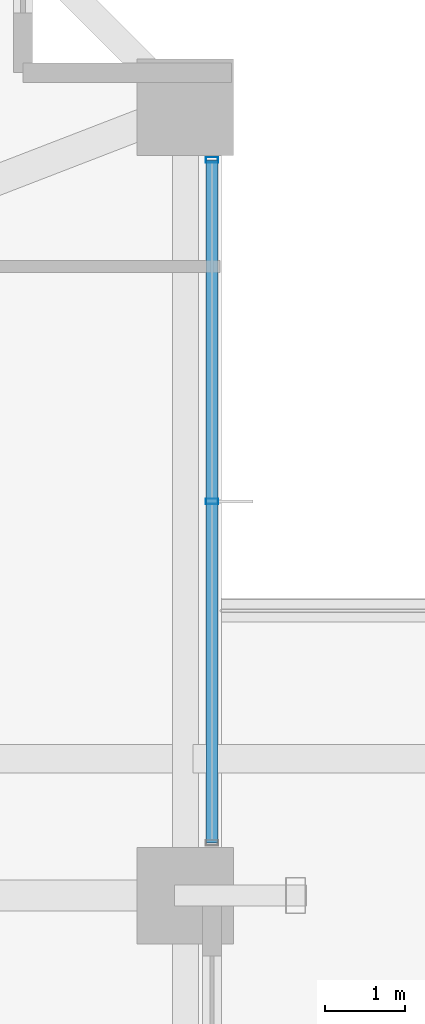
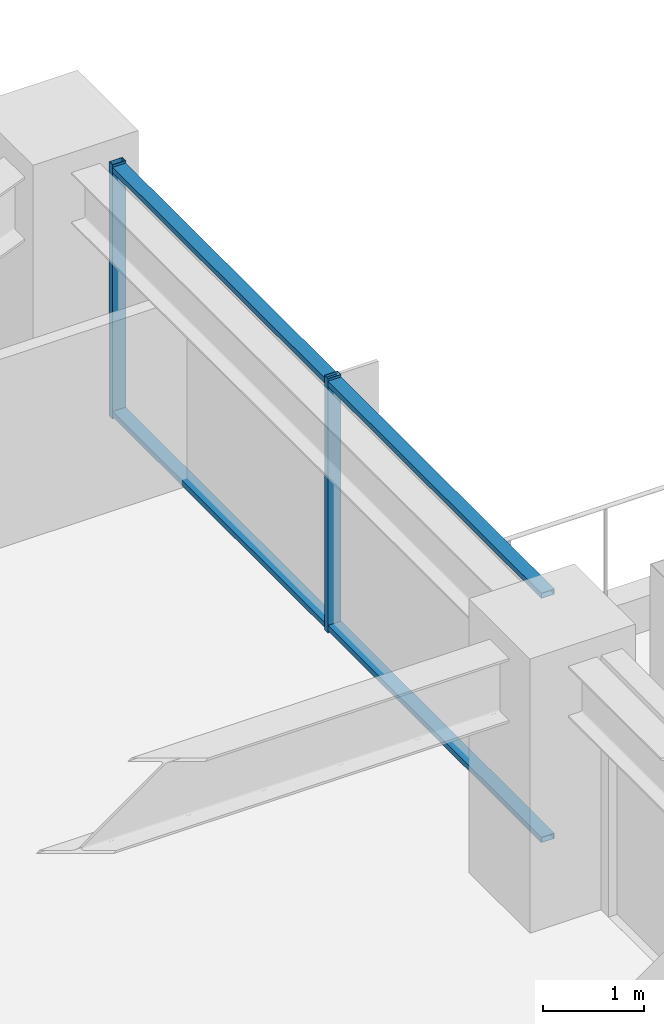
# One storey, part 25 of 38: 4 members, 1 element without a shape of its own.
"""IFC4 building model written with IfcOpenShell, lengths in metres."""

from ifc_helpers import new_model, si_unit, direction, frame, origin, origin_2d, place, context, subcontext, project, spatial, hollow_rectangle, extrude, material, material_profile, profile_set, type_object, element, aggregate, save


model = new_model("IFC4")

# Units and contexts
model_context = context("Model", 3, precision=1e-05, world=origin(), true_north=direction((0.0, 1.0)))
body_context = subcontext(model_context, "Body", "Model", "MODEL_VIEW")
ifc_project = project(units=[si_unit("LENGTHUNIT", "METRE"), si_unit("AREAUNIT", "SQUARE_METRE"), si_unit("VOLUMEUNIT", "CUBIC_METRE"), si_unit("PLANEANGLEUNIT", "RADIAN"), si_unit("MASSUNIT", "GRAM", prefix="KILO")], contexts=[model_context])

# Site, building, storey
site_placement = place(None, origin())
site = spatial("IfcSite", under=ifc_project, at=site_placement, CompositionType="ELEMENT")
building_placement = place(site_placement, origin())
building = spatial("IfcBuilding", under=site, at=building_placement, Name="Kolvaren Belvedere", CompositionType="ELEMENT")
storey_placement = place(building_placement, frame((0.0, 0.0, 53.5)))
storey = spatial("IfcBuildingStorey", under=building, at=storey_placement, Name="L15", CompositionType="ELEMENT", Elevation=53.5)

# Curtain wall, members
ifc_material_1 = material(Name="Anodised pale-metal aluminium AA 6063-T6", Category="aluminium")
curtain_wall_type = type_object("IfcCurtainWallType", Name="CW-Z1-LOW", PredefinedType="NOTDEFINED", material=ifc_material_1)
curtain_wall_placement = place(storey_placement, origin())
curtain_wall = element("IfcCurtainWall", 1, at=curtain_wall_placement, inside=storey, type_object=curtain_wall_type, Name="L15 Unitised Curtain Wall FCW-L15-E1", PredefinedType="NOTDEFINED")
ifc_material_2 = material(Name="Anodised pale-metal aluminium AA 6063-T6", Category="aluminium")
ifc_material_profile_1 = material_profile(ifc_material_2, hollow_rectangle(XDim=0.070068359375, YDim=0.14990234375, WallThickness=0.004150390625, at=origin_2d()), Name="ALU-MUL-150X70")
ifc_profile_set_1 = profile_set([ifc_material_profile_1], Name="Anodised pale-metal aluminium AA 6063-T6")
member_type_1 = type_object("IfcMemberType", Name="CW-MUL-150", PredefinedType="MULLION", material=ifc_profile_set_1)
member_1_placement = place(storey_placement, frame((21.8798828125, 13.7451171875, 0.0), z_axis=(0.0, 0.0, 1.0), x_axis=(0.0, 1.0, 0.0)))
member_1 = element("IfcMember", 2, at=member_1_placement, type_object=member_type_1, Name="FCW-L15-E1 Unitised Mullion 1", PredefinedType="MULLION", context=body_context, shape_type="SweptSolid", body=[
    extrude(hollow_rectangle(XDim=0.070068359375, YDim=0.14990234375, WallThickness=0.004150390625, at=origin_2d()), origin(), (0.0, 0.0, 1.0), 3.06005859375),
])
member_2_placement = place(storey_placement, frame((21.8798828125, 9.5, 0.0), z_axis=(0.0, 0.0, 1.0), x_axis=(0.0, 1.0, 0.0)))
member_2 = element("IfcMember", 3, at=member_2_placement, type_object=member_type_1, Name="FCW-L15-E1 Unitised Mullion 2", PredefinedType="MULLION", context=body_context, shape_type="SweptSolid", body=[
    extrude(hollow_rectangle(XDim=0.070068359375, YDim=0.14990234375, WallThickness=0.004150390625, at=origin_2d()), origin(), (0.0, 0.0, 1.0), 3.06005859375),
])
ifc_material_3 = material(Name="Anodised pale-metal aluminium AA 6063-T6", Category="aluminium")
ifc_material_profile_2 = material_profile(ifc_material_3, hollow_rectangle(XDim=0.06494140625, YDim=0.14990234375, WallThickness=0.00390625, at=origin_2d()), Name="ALU-TRN-150X65")
ifc_profile_set_2 = profile_set([ifc_material_profile_2], Name="Anodised pale-metal aluminium AA 6063-T6")
member_type_2 = type_object("IfcMemberType", Name="CW-TRN-150", PredefinedType="USERDEFINED", material=ifc_profile_set_2)
member_3_placement = place(storey_placement, frame((21.8798828125, 13.7451171875, 0.06005859375), z_axis=(0.0, -1.0, 0.0), x_axis=(0.0, 0.0, 1.0)))
member_3 = element("IfcMember", 4, at=member_3_placement, type_object=member_type_2, Name="FCW-L15-E1 Sill Transom", ObjectType="TRANSOM", PredefinedType="USERDEFINED", context=body_context, shape_type="SweptSolid", body=[
    extrude(hollow_rectangle(XDim=0.06494140625, YDim=0.14990234375, WallThickness=0.00390625, at=origin_2d()), origin(), (0.0, 0.0, 1.0), 8.490234375),
])
member_4_placement = place(storey_placement, frame((21.8798828125, 13.7451171875, 3.0), z_axis=(0.0, -1.0, 0.0), x_axis=(0.0, 0.0, 1.0)))
member_4 = element("IfcMember", 5, at=member_4_placement, type_object=member_type_2, Name="FCW-L15-E1 Head Transom", ObjectType="TRANSOM", PredefinedType="USERDEFINED", context=body_context, shape_type="SweptSolid", body=[
    extrude(hollow_rectangle(XDim=0.06494140625, YDim=0.14990234375, WallThickness=0.00390625, at=origin_2d()), origin(), (0.0, 0.0, 1.0), 8.490234375),
])
aggregate(curtain_wall, [member_1, member_2, member_3, member_4])

save(model, "model.ifc")
